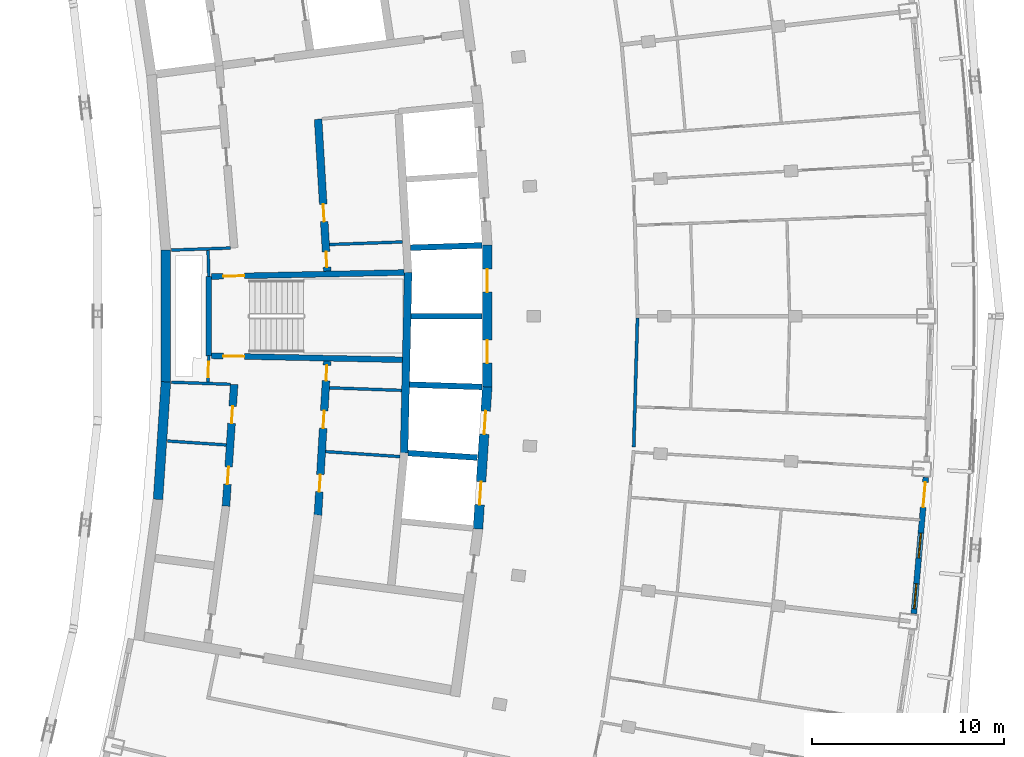
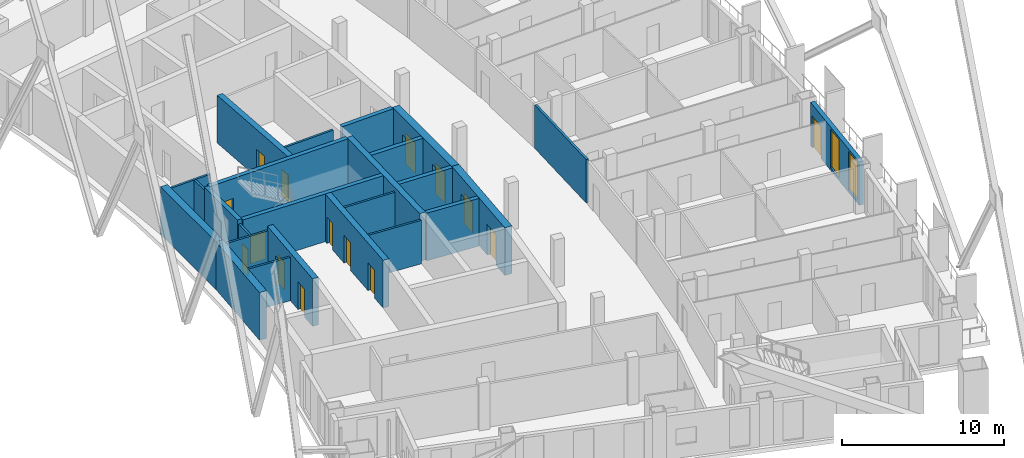
# One storey, part 10 of 21: 25 walls, 15 doors, 2 windows, 17 openings.
"""IFC4 building model written with IfcOpenShell, lengths in metres."""

from ifc_helpers import new_model, si_unit, direction, frame, frame_2d, origin, place, context, subcontext, project, spatial, rectangle, extrude, material, layer, layer_set, type_object, element, fill, save


model = new_model("IFC4")

# Units and contexts
model_context = context("Model", 3, precision=1e-05, world=origin(), true_north=direction((0.0, 1.0)))
body_context = subcontext(model_context, "Body", "Model", "MODEL_VIEW")
ifc_project = project(units=[si_unit("LENGTHUNIT", "METRE"), si_unit("AREAUNIT", "SQUARE_METRE"), si_unit("VOLUMEUNIT", "CUBIC_METRE"), si_unit("PLANEANGLEUNIT", "RADIAN"), si_unit("MASSUNIT", "GRAM", prefix="KILO")], contexts=[model_context])

# Site, building, storey
site_placement = place(None, origin())
site = spatial("IfcSite", under=ifc_project, at=site_placement, CompositionType="ELEMENT")
building_placement = place(site_placement, origin())
building = spatial("IfcBuilding", under=site, at=building_placement, Name="Alderwake Tower", CompositionType="ELEMENT")
storey_placement = place(building_placement, frame((0.0, 0.0, 267.199951171875)))
storey = spatial("IfcBuildingStorey", under=building, at=storey_placement, Name="L66", CompositionType="ELEMENT", Elevation=267.199951171875)

# Walls
ifc_material_1 = material(Name="Gypsum shaft wall system, rated")
ifc_layer_1 = layer(ifc_material_1, 0.14990234375)
ifc_layer_set_1 = layer_set([ifc_layer_1], Name="Core riser partition 150")
wall_type_1 = type_object("IfcWallType", Name="Core riser partition 150", PredefinedType="PARTITIONING", material=ifc_layer_set_1)
wall_1_placement = place(storey_placement, frame((25.1904296875, 57.276611328125, 0.0), z_axis=(0.0, 0.0, 1.0), x_axis=(0.99937350076, -0.035392173974, 0.0)))
element("IfcWall", 1, at=wall_1_placement, inside=storey, type_object=wall_type_1, Name="CW/L66/PR-37_+86", PredefinedType="PARTITIONING", context=body_context, shape_type="SweptSolid", body=[
    extrude(rectangle(XDim=3.752685546875, YDim=0.14990234375, at=frame_2d((1.87646484375, 0.0))), origin(), (0.0, 0.0, 1.0), 3.280029296875),
])
wall_2_placement = place(storey_placement, frame((25.191162109375, 64.723388671875, 0.0), z_axis=(0.0, 0.0, 1.0), x_axis=(0.999373627871, 0.035388584556, 0.0)))
element("IfcWall", 2, at=wall_2_placement, inside=storey, type_object=wall_type_1, Name="CW/L66/PR+37_+86", PredefinedType="PARTITIONING", context=body_context, shape_type="SweptSolid", body=[
    extrude(rectangle(XDim=3.79443359375, YDim=0.14990234375, at=frame_2d((1.897216796875, 0.0))), origin(), (0.0, 0.0, 1.0), 3.280029296875),
])

# Wall, opening, door
ifc_material_2 = material(Name="Gypsum shaft wall system, rated")
ifc_layer_2 = layer(ifc_material_2, 0.14990234375)
ifc_layer_set_2 = layer_set([ifc_layer_2], Name="Core room partition 150")
wall_type_2 = type_object("IfcWallType", Name="Core room partition 150", PredefinedType="PARTITIONING", material=ifc_layer_set_2)
wall_3_placement = place(storey_placement, frame((18.918701171875, 58.94384765625, 0.0), z_axis=(0.0, 0.0, 1.0), x_axis=(-0.027811602725, -0.999613182563, 0.0)))
wall_3 = element("IfcWall", 3, at=wall_3_placement, inside=storey, type_object=wall_type_2, Name="CW/L66/PA+24_-37", PredefinedType="PARTITIONING", context=body_context, shape_type="SweptSolid", body=[
    extrude(rectangle(XDim=1.369384765625, YDim=0.14990234375, at=frame_2d((0.6845703125, 0.0))), origin(), (0.0, 0.0, 1.0), 3.280029296875),
])
opening_1_placement = place(wall_3_placement, frame((0.322998046875, 0.0, 0.0)))
opening_1 = element("IfcOpeningElement", 4, at=opening_1_placement, cuts=wall_3, Name="Opening C004", PredefinedType="OPENING", context=body_context, shape_type="SweptSolid", body=[
    extrude(rectangle(XDim=0.800048828125, YDim=2.0, at=frame_2d((0.39990234375, 1.0))), frame((0.0, 0.0849609375, 0.0), z_axis=(0.0, -1.0, 0.0), x_axis=(1.0, 0.0, 0.0)), (0.0, 0.0, 1.0), 0.169921875),
])
ifc_material_3 = material(Name="Painted steel leaf, rated", Category="steel")
door_type_1 = type_object("IfcDoorType", Name="Riser access door 800", OperationType="SINGLE_SWING_LEFT", PredefinedType="DOOR", material=ifc_material_3)
door_1_placement = place(opening_1_placement, origin())
door_1 = element("IfcDoor", 5, at=door_1_placement, inside=storey, type_object=door_type_1, Name="Riser access door", OperationType="SINGLE_SWING_RIGHT", OverallHeight=2.0, OverallWidth=0.800048828125, PredefinedType="DOOR", context=body_context, shape_type="SweptSolid", body=[
    extrude(rectangle(XDim=0.800048828125, YDim=2.0, at=frame_2d((0.39990234375, 1.0))), frame((0.0, 0.02490234375, 0.0), z_axis=(0.0, -1.0, 0.0), x_axis=(1.0, 0.0, 0.0)), (0.0, 0.0, 1.0), 0.050048828125),
])
fill(opening_1, door_1)

# Walls
wall_4_placement = place(storey_placement, frame((18.918701171875, 63.05517578125, 0.0), z_axis=(0.0, 0.0, 1.0), x_axis=(-0.027791791559, 0.99961373356, 0.0)))
element("IfcWall", 6, at=wall_4_placement, inside=storey, type_object=wall_type_2, Name="CW/L66/PA+24_+22", PredefinedType="PARTITIONING", context=body_context, shape_type="SweptSolid", body=[
    extrude(rectangle(XDim=1.370361328125, YDim=0.14990234375, at=frame_2d((0.68505859375, 0.0))), origin(), (0.0, 0.0, 1.0), 3.280029296875),
])
wall_5_placement = place(storey_placement, frame((16.7646484375, 54.512939453125, 0.0), z_axis=(0.0, 0.0, 1.0), x_axis=(0.997758318264, -0.066920388042, 0.0)))
element("IfcWall", 7, at=wall_5_placement, inside=storey, type_object=wall_type_2, Name="CW/L66/PR-70_+0", PredefinedType="PARTITIONING", context=body_context, shape_type="SweptSolid", body=[
    extrude(rectangle(XDim=3.068115234375, YDim=0.14990234375, at=frame_2d((1.5341796875, 0.0))), origin(), (0.0, 0.0, 1.0), 3.280029296875),
])
wall_6_placement = place(storey_placement, frame((24.990234375, 53.96142578125, 0.0), z_axis=(0.0, 0.0, 1.0), x_axis=(0.997758824467, -0.06691284031, 0.0)))
element("IfcWall", 8, at=wall_6_placement, inside=storey, type_object=wall_type_2, Name="CW/L66/PR-70_+86", PredefinedType="PARTITIONING", context=body_context, shape_type="SweptSolid", body=[
    extrude(rectangle(XDim=3.86767578125, YDim=0.14990234375, at=frame_2d((1.933837890625, 0.0))), origin(), (0.0, 0.0, 1.0), 3.280029296875),
])
for number, where, z_axis, x_axis, name in (
    (9, (16.969482421875, 57.5673828125, 0.0), (0.0, 0.0, 1.0), (0.999376258731, -0.035314210814, 0.0), "CW/L66/PR-37_+0"),
    (10, (16.969482421875, 64.4326171875, 0.0), (0.0, 0.0, 1.0), (0.999376258731, 0.035314210814, 0.0), "CW/L66/PR+37_+0"),
):
    element("IfcWall", number, at=place(storey_placement, frame(where, z_axis=z_axis, x_axis=x_axis)), inside=storey, type_object=wall_type_2, Name=name, PredefinedType="PARTITIONING", context=body_context, shape_type="SweptSolid", body=[
        extrude(rectangle(XDim=3.069580078125, YDim=0.14990234375, at=frame_2d((1.53466796875, 0.0))), origin(), (0.0, 0.0, 1.0), 3.280029296875),
    ])
ifc_material_4 = material(Name="Concrete C70/85", Category="concrete")
ifc_layer_3 = layer(ifc_material_4, 0.5)
ifc_layer_set_3 = layer_set([ifc_layer_3], Name="Core wall outer 500 C70-85")
wall_type_3 = type_object("IfcWallType", Name="Core wall outer 500 C70-85", PredefinedType="SHEAR", material=ifc_layer_set_3)
wall_7_placement = place(storey_placement, frame((16.280517578125, 51.4765625, 0.0), z_axis=(0.0, 0.0, 1.0), x_axis=(0.066863022947, 0.997762164127, 0.0)))
element("IfcWall", 11, at=wall_7_placement, inside=storey, type_object=wall_type_3, Name="Core wall CW.027", PredefinedType="SHEAR", context=body_context, shape_type="SweptSolid", body=[
    extrude(rectangle(XDim=6.123291015625, YDim=0.5, at=frame_2d((3.0615234375, 0.0))), origin(), (0.0, 0.0, 1.0), 3.60009765625),
])
wall_8_placement = place(storey_placement, frame((16.689453125, 57.568603515625, 0.0), z_axis=(0.0, 0.0, 1.0), x_axis=(0.0, 1.0, 0.0)))
element("IfcWall", 12, at=wall_8_placement, inside=storey, type_object=wall_type_3, Name="Core wall CW.029", PredefinedType="SHEAR", context=body_context, shape_type="SweptSolid", body=[
    extrude(rectangle(XDim=6.86474609375, YDim=0.5, at=frame_2d((3.432373046875, 0.0))), origin(), (0.0, 0.0, 1.0), 3.60009765625),
])

# Wall, openings, doors
wall_9_placement = place(storey_placement, frame((32.91015625, 49.942138671875, 0.0), z_axis=(0.0, 0.0, 1.0), x_axis=(0.064980500916, 0.997886533881, 0.0)))
wall_9 = element("IfcWall", 13, at=wall_9_placement, inside=storey, type_object=wall_type_3, Name="Core wall CW.021", PredefinedType="SHEAR", context=body_context, shape_type="SweptSolid", body=[
    extrude(rectangle(XDim=7.39404296875, YDim=0.5, at=frame_2d((3.697021484375, 0.0))), origin(), (0.0, 0.0, 1.0), 3.60009765625),
])
opening_2_placement = place(wall_9_placement, frame((1.253173828125, 0.0, 0.0)))
opening_2 = element("IfcOpeningElement", 14, at=opening_2_placement, cuts=wall_9, Name="Opening LD-HP1", PredefinedType="OPENING", context=body_context, shape_type="SweptSolid", body=[
    extrude(rectangle(XDim=1.199951171875, YDim=2.300048828125, at=frame_2d((0.60009765625, 1.14990234375))), frame((0.0, 0.260009765625, 0.0), z_axis=(0.0, -1.0, 0.0), x_axis=(1.0, 0.0, 0.0)), (0.0, 0.0, 1.0), 0.52001953125),
])
opening_3_placement = place(wall_9_placement, frame((4.941650390625, 0.0, 0.0)))
opening_3 = element("IfcOpeningElement", 15, at=opening_3_placement, cuts=wall_9, Name="Opening LD-HP2", PredefinedType="OPENING", context=body_context, shape_type="SweptSolid", body=[
    extrude(rectangle(XDim=1.199951171875, YDim=2.300048828125, at=frame_2d((0.60009765625, 1.14990234375))), frame((0.0, 0.260009765625, 0.0), z_axis=(0.0, -1.0, 0.0), x_axis=(1.0, 0.0, 0.0)), (0.0, 0.0, 1.0), 0.52001953125),
])
ifc_material_5 = material(Name="Stainless steel sliding leaf", Category="steel")
door_type_2 = type_object("IfcDoorType", Name="Lift landing door 1200", OperationType="SLIDING_TO_LEFT", PredefinedType="DOOR", material=ifc_material_5)
door_2_placement = place(opening_2_placement, origin())
door_2 = element("IfcDoor", 16, at=door_2_placement, inside=storey, type_object=door_type_2, Name="Lift landing door HP1", OperationType="SLIDING_TO_LEFT", OverallHeight=2.300048828125, OverallWidth=1.199951171875, PredefinedType="DOOR", context=body_context, shape_type="SweptSolid", body=[
    extrude(rectangle(XDim=1.199951171875, YDim=2.300048828125, at=frame_2d((0.60009765625, 1.14990234375))), frame((0.0, 0.02490234375, 0.0), z_axis=(0.0, -1.0, 0.0), x_axis=(1.0, 0.0, 0.0)), (0.0, 0.0, 1.0), 0.050048828125),
])
fill(opening_2, door_2)
door_3_placement = place(opening_3_placement, origin())
door_3 = element("IfcDoor", 17, at=door_3_placement, inside=storey, type_object=door_type_2, Name="Lift landing door HP2", OperationType="SLIDING_TO_LEFT", OverallHeight=2.300048828125, OverallWidth=1.199951171875, PredefinedType="DOOR", context=body_context, shape_type="SweptSolid", body=[
    extrude(rectangle(XDim=1.199951171875, YDim=2.300048828125, at=frame_2d((0.60009765625, 1.14990234375))), frame((0.0, 0.02490234375, 0.0), z_axis=(0.0, -1.0, 0.0), x_axis=(1.0, 0.0, 0.0)), (0.0, 0.0, 1.0), 0.050048828125),
])
fill(opening_3, door_3)

wall_10_placement = place(storey_placement, frame((33.389892578125, 57.30322265625, 0.0), z_axis=(0.0, 0.0, 1.0), x_axis=(0.0, 1.0, 0.0)))
wall_10 = element("IfcWall", 18, at=wall_10_placement, inside=storey, type_object=wall_type_3, Name="Core wall CW.023", PredefinedType="SHEAR", context=body_context, shape_type="SweptSolid", body=[
    extrude(rectangle(XDim=7.3935546875, YDim=0.5, at=frame_2d((3.69677734375, 0.0))), origin(), (0.0, 0.0, 1.0), 3.60009765625),
])
opening_4_placement = place(wall_10_placement, frame((1.25244140625, 0.0, 0.0)))
opening_4 = element("IfcOpeningElement", 19, at=opening_4_placement, cuts=wall_10, Name="Opening LD-HP3", PredefinedType="OPENING", context=body_context, shape_type="SweptSolid", body=[
    extrude(rectangle(XDim=1.199951171875, YDim=2.300048828125, at=frame_2d((0.60009765625, 1.14990234375))), frame((0.0, 0.260009765625, 0.0), z_axis=(0.0, -1.0, 0.0), x_axis=(1.0, 0.0, 0.0)), (0.0, 0.0, 1.0), 0.52001953125),
])
opening_5_placement = place(wall_10_placement, frame((4.94091796875, 0.0, 0.0)))
opening_5 = element("IfcOpeningElement", 20, at=opening_5_placement, cuts=wall_10, Name="Opening LD-HP4", PredefinedType="OPENING", context=body_context, shape_type="SweptSolid", body=[
    extrude(rectangle(XDim=1.199951171875, YDim=2.300048828125, at=frame_2d((0.60009765625, 1.14990234375))), frame((0.0, 0.260009765625, 0.0), z_axis=(0.0, -1.0, 0.0), x_axis=(1.0, 0.0, 0.0)), (0.0, 0.0, 1.0), 0.52001953125),
])
door_4_placement = place(opening_4_placement, origin())
door_4 = element("IfcDoor", 21, at=door_4_placement, inside=storey, type_object=door_type_2, Name="Lift landing door HP3", OperationType="SLIDING_TO_LEFT", OverallHeight=2.300048828125, OverallWidth=1.199951171875, PredefinedType="DOOR", context=body_context, shape_type="SweptSolid", body=[
    extrude(rectangle(XDim=1.199951171875, YDim=2.300048828125, at=frame_2d((0.60009765625, 1.14990234375))), frame((0.0, 0.02490234375, 0.0), z_axis=(0.0, -1.0, 0.0), x_axis=(1.0, 0.0, 0.0)), (0.0, 0.0, 1.0), 0.050048828125),
])
fill(opening_4, door_4)
door_5_placement = place(opening_5_placement, origin())
door_5 = element("IfcDoor", 22, at=door_5_placement, inside=storey, type_object=door_type_2, Name="Lift landing door HP4", OperationType="SLIDING_TO_LEFT", OverallHeight=2.300048828125, OverallWidth=1.199951171875, PredefinedType="DOOR", context=body_context, shape_type="SweptSolid", body=[
    extrude(rectangle(XDim=1.199951171875, YDim=2.300048828125, at=frame_2d((0.60009765625, 1.14990234375))), frame((0.0, 0.02490234375, 0.0), z_axis=(0.0, -1.0, 0.0), x_axis=(1.0, 0.0, 0.0)), (0.0, 0.0, 1.0), 0.050048828125),
])
fill(opening_5, door_5)

# Walls
ifc_material_6 = material(Name="Concrete C70/85", Category="concrete")
ifc_layer_4 = layer(ifc_material_6, 0.300048828125)
ifc_layer_set_4 = layer_set([ifc_layer_4], Name="Core wall shaft 300 C70-85")
wall_type_4 = type_object("IfcWallType", Name="Core wall shaft 300 C70-85", PredefinedType="SHEAR", material=ifc_layer_set_4)
wall_11_placement = place(storey_placement, frame((29.268798828125, 53.884521484375, 0.0), z_axis=(0.0, 0.0, 1.0), x_axis=(0.997885735437, -0.064992761217, 0.0)))
element("IfcWall", 23, at=wall_11_placement, inside=storey, type_object=wall_type_4, Name="Core wall CW.078", PredefinedType="SHEAR", context=body_context, shape_type="SweptSolid", body=[
    extrude(rectangle(XDim=3.60986328125, YDim=0.300048828125, at=frame_2d((1.804931640625, 0.0))), origin(), (0.0, 0.0, 1.0), 3.60009765625),
])
wall_12_placement = place(storey_placement, frame((29.347412109375, 57.443603515625, 0.0), z_axis=(0.0, 0.0, 1.0), x_axis=(0.99946995342, -0.032554757112, 0.0)))
element("IfcWall", 24, at=wall_12_placement, inside=storey, type_object=wall_type_4, Name="Core wall CW.075", PredefinedType="SHEAR", context=body_context, shape_type="SweptSolid", body=[
    extrude(rectangle(XDim=3.7646484375, YDim=0.300048828125, at=frame_2d((1.88232421875, 0.0))), origin(), (0.0, 0.0, 1.0), 3.60009765625),
])
wall_13_placement = place(storey_placement, frame((29.426025390625, 61.0, 0.0), z_axis=(0.0, 0.0, 1.0), x_axis=(1.0, 0.0, 0.0)))
element("IfcWall", 25, at=wall_13_placement, inside=storey, type_object=wall_type_4, Name="Core wall CW.048", PredefinedType="SHEAR", context=body_context, shape_type="SweptSolid", body=[
    extrude(rectangle(XDim=3.68408203125, YDim=0.300048828125, at=frame_2d((1.842041015625, 0.0))), origin(), (0.0, 0.0, 1.0), 3.60009765625),
])
wall_14_placement = place(storey_placement, frame((29.401611328125, 64.558349609375, 0.0), z_axis=(0.0, 0.0, 1.0), x_axis=(0.99947159852, 0.032504211301, 0.0)))
element("IfcWall", 26, at=wall_14_placement, inside=storey, type_object=wall_type_4, Name="Core wall CW.058", PredefinedType="SHEAR", context=body_context, shape_type="SweptSolid", body=[
    extrude(rectangle(XDim=3.71044921875, YDim=0.300048828125, at=frame_2d((1.855224609375, 0.0))), origin(), (0.0, 0.0, 1.0), 3.60009765625),
])

# Wall, openings, doors
ifc_material_7 = material(Name="Concrete C70/85", Category="concrete")
ifc_layer_5 = layer(ifc_material_7, 0.39990234375)
ifc_layer_set_5 = layer_set([ifc_layer_5], Name="Core wall spine 400 C70-85")
wall_type_5 = type_object("IfcWallType", Name="Core wall spine 400 C70-85", PredefinedType="SHEAR", material=ifc_layer_set_5)
wall_15_placement = place(storey_placement, frame((20.2373046875, 57.451904296875, 0.0), z_axis=(0.0, 0.0, 1.0), x_axis=(-0.066884681503, -0.997760712486, 0.0)))
wall_15 = element("IfcWall", 27, at=wall_15_placement, inside=storey, type_object=wall_type_5, Name="Core wall CW.032", PredefinedType="SHEAR", context=body_context, shape_type="SweptSolid", body=[
    extrude(rectangle(XDim=6.336669921875, YDim=0.39990234375, at=frame_2d((3.16845703125, 0.0))), origin(), (0.0, 0.0, 1.0), 3.60009765625),
])
opening_6_placement = place(wall_15_placement, frame((4.29736328125, 0.0, 0.0)))
opening_6 = element("IfcOpeningElement", 28, at=opening_6_placement, cuts=wall_15, Name="Opening C038", PredefinedType="OPENING", context=body_context, shape_type="SweptSolid", body=[
    extrude(rectangle(XDim=0.89990234375, YDim=2.10009765625, at=frame_2d((0.449951171875, 1.050048828125))), frame((0.0, 0.2099609375, 0.0), z_axis=(0.0, -1.0, 0.0), x_axis=(1.0, 0.0, 0.0)), (0.0, 0.0, 1.0), 0.419921875),
])
opening_7_placement = place(wall_15_placement, frame((1.132080078125, 0.0, 0.0)))
opening_7 = element("IfcOpeningElement", 29, at=opening_7_placement, cuts=wall_15, Name="Opening C042", PredefinedType="OPENING", context=body_context, shape_type="SweptSolid", body=[
    extrude(rectangle(XDim=0.89990234375, YDim=2.10009765625, at=frame_2d((0.449951171875, 1.050048828125))), frame((0.0, 0.2099609375, 0.0), z_axis=(0.0, -1.0, 0.0), x_axis=(1.0, 0.0, 0.0)), (0.0, 0.0, 1.0), 0.419921875),
])
ifc_material_8 = material(Name="Painted steel leaf", Category="steel")
door_type_3 = type_object("IfcDoorType", Name="Core room door 900", OperationType="SINGLE_SWING_LEFT", PredefinedType="DOOR", material=ifc_material_8)
door_6_placement = place(opening_6_placement, origin())
door_6 = element("IfcDoor", 30, at=door_6_placement, inside=storey, type_object=door_type_3, Name="Room door", OperationType="SINGLE_SWING_RIGHT", OverallHeight=2.10009765625, OverallWidth=0.89990234375, PredefinedType="DOOR", context=body_context, shape_type="SweptSolid", body=[
    extrude(rectangle(XDim=0.89990234375, YDim=2.10009765625, at=frame_2d((0.449951171875, 1.050048828125))), frame((0.0, 0.02490234375, 0.0), z_axis=(0.0, -1.0, 0.0), x_axis=(1.0, 0.0, 0.0)), (0.0, 0.0, 1.0), 0.050048828125),
])
fill(opening_6, door_6)
door_7_placement = place(opening_7_placement, origin())
door_7 = element("IfcDoor", 31, at=door_7_placement, inside=storey, type_object=door_type_3, Name="Room door", OperationType="SINGLE_SWING_LEFT", OverallHeight=2.10009765625, OverallWidth=0.89990234375, PredefinedType="DOOR", context=body_context, shape_type="SweptSolid", body=[
    extrude(rectangle(XDim=0.89990234375, YDim=2.10009765625, at=frame_2d((0.449951171875, 1.050048828125))), frame((0.0, 0.02490234375, 0.0), z_axis=(0.0, -1.0, 0.0), x_axis=(1.0, 0.0, 0.0)), (0.0, 0.0, 1.0), 0.050048828125),
])
fill(opening_7, door_7)

wall_16_placement = place(storey_placement, frame((24.590087890625, 50.65673828125, 0.0), z_axis=(0.0, 0.0, 1.0), x_axis=(0.060318641452, 0.998179173041, 0.0)))
wall_16 = element("IfcWall", 32, at=wall_16_placement, inside=storey, type_object=wall_type_5, Name="Core wall CW.046", PredefinedType="SHEAR", context=body_context, shape_type="SweptSolid", body=[
    extrude(rectangle(XDim=8.022216796875, YDim=0.39990234375, at=frame_2d((4.01123046875, 0.0))), origin(), (0.0, 0.0, 1.0), 3.60009765625),
])
opening_8_placement = place(wall_16_placement, frame((7.006103515625, 0.0, 0.0)))
opening_8 = element("IfcOpeningElement", 33, at=opening_8_placement, cuts=wall_16, Name="Opening C006", PredefinedType="OPENING", context=body_context, shape_type="SweptSolid", body=[
    extrude(rectangle(XDim=0.800048828125, YDim=2.0, at=frame_2d((0.39990234375, 1.0))), frame((0.0, 0.2099609375, 0.0), z_axis=(0.0, -1.0, 0.0), x_axis=(1.0, 0.0, 0.0)), (0.0, 0.0, 1.0), 0.419921875),
])
opening_9_placement = place(wall_16_placement, frame((1.21533203125, 0.0, 0.0)))
opening_9 = element("IfcOpeningElement", 34, at=opening_9_placement, cuts=wall_16, Name="Opening C044", PredefinedType="OPENING", context=body_context, shape_type="SweptSolid", body=[
    extrude(rectangle(XDim=0.89990234375, YDim=2.10009765625, at=frame_2d((0.449951171875, 1.050048828125))), frame((0.0, 0.2099609375, 0.0), z_axis=(0.0, -1.0, 0.0), x_axis=(1.0, 0.0, 0.0)), (0.0, 0.0, 1.0), 0.419921875),
])
opening_10_placement = place(wall_16_placement, frame((4.531982421875, 0.0, 0.0)))
opening_10 = element("IfcOpeningElement", 35, at=opening_10_placement, cuts=wall_16, Name="Opening C048", PredefinedType="OPENING", context=body_context, shape_type="SweptSolid", body=[
    extrude(rectangle(XDim=0.89990234375, YDim=2.10009765625, at=frame_2d((0.449951171875, 1.050048828125))), frame((0.0, 0.2099609375, 0.0), z_axis=(0.0, -1.0, 0.0), x_axis=(1.0, 0.0, 0.0)), (0.0, 0.0, 1.0), 0.419921875),
])
door_8_placement = place(opening_9_placement, origin())
door_8 = element("IfcDoor", 36, at=door_8_placement, inside=storey, type_object=door_type_3, Name="Room door", OperationType="SINGLE_SWING_RIGHT", OverallHeight=2.10009765625, OverallWidth=0.89990234375, PredefinedType="DOOR", context=body_context, shape_type="SweptSolid", body=[
    extrude(rectangle(XDim=0.89990234375, YDim=2.10009765625, at=frame_2d((0.449951171875, 1.050048828125))), frame((0.0, 0.02490234375, 0.0), z_axis=(0.0, -1.0, 0.0), x_axis=(1.0, 0.0, 0.0)), (0.0, 0.0, 1.0), 0.050048828125),
])
fill(opening_9, door_8)
door_9_placement = place(opening_10_placement, origin())
door_9 = element("IfcDoor", 37, at=door_9_placement, inside=storey, type_object=door_type_3, Name="Room door", OperationType="SINGLE_SWING_LEFT", OverallHeight=2.10009765625, OverallWidth=0.89990234375, PredefinedType="DOOR", context=body_context, shape_type="SweptSolid", body=[
    extrude(rectangle(XDim=0.89990234375, YDim=2.10009765625, at=frame_2d((0.449951171875, 1.050048828125))), frame((0.0, 0.02490234375, 0.0), z_axis=(0.0, -1.0, 0.0), x_axis=(1.0, 0.0, 0.0)), (0.0, 0.0, 1.0), 0.050048828125),
])
fill(opening_10, door_9)
door_10_placement = place(opening_8_placement, origin())
door_10 = element("IfcDoor", 38, at=door_10_placement, inside=storey, type_object=door_type_1, Name="Riser access door", OperationType="SINGLE_SWING_RIGHT", OverallHeight=2.0, OverallWidth=0.800048828125, PredefinedType="DOOR", context=body_context, shape_type="SweptSolid", body=[
    extrude(rectangle(XDim=0.800048828125, YDim=2.0, at=frame_2d((0.39990234375, 1.0))), frame((0.0, 0.02490234375, 0.0), z_axis=(0.0, -1.0, 0.0), x_axis=(1.0, 0.0, 0.0)), (0.0, 0.0, 1.0), 0.050048828125),
])
fill(opening_8, door_10)

wall_17_placement = place(storey_placement, frame((25.073974609375, 63.335693359375, 0.0), z_axis=(0.0, 0.0, 1.0), x_axis=(-0.059848641072, 0.998207463487, 0.0)))
wall_17 = element("IfcWall", 39, at=wall_17_placement, inside=storey, type_object=wall_type_5, Name="Core wall CW.045", PredefinedType="SHEAR", context=body_context, shape_type="SweptSolid", body=[
    extrude(rectangle(XDim=7.913818359375, YDim=0.39990234375, at=frame_2d((3.95703125, 0.0))), origin(), (0.0, 0.0, 1.0), 3.60009765625),
])
opening_11_placement = place(wall_17_placement, frame((0.216064453125, 0.0, 0.0)))
opening_11 = element("IfcOpeningElement", 40, at=opening_11_placement, cuts=wall_17, Name="Opening C005", PredefinedType="OPENING", context=body_context, shape_type="SweptSolid", body=[
    extrude(rectangle(XDim=0.800048828125, YDim=2.0, at=frame_2d((0.39990234375, 1.0))), frame((0.0, 0.2099609375, 0.0), z_axis=(0.0, -1.0, 0.0), x_axis=(1.0, 0.0, 0.0)), (0.0, 0.0, 1.0), 0.419921875),
])
opening_12_placement = place(wall_17_placement, frame((2.590087890625, 0.0, 0.0)))
opening_12 = element("IfcOpeningElement", 41, at=opening_12_placement, cuts=wall_17, Name="Opening C057", PredefinedType="OPENING", context=body_context, shape_type="SweptSolid", body=[
    extrude(rectangle(XDim=0.89990234375, YDim=2.10009765625, at=frame_2d((0.449951171875, 1.050048828125))), frame((0.0, 0.2099609375, 0.0), z_axis=(0.0, -1.0, 0.0), x_axis=(1.0, 0.0, 0.0)), (0.0, 0.0, 1.0), 0.419921875),
])
door_11_placement = place(opening_12_placement, origin())
door_11 = element("IfcDoor", 42, at=door_11_placement, inside=storey, type_object=door_type_3, Name="Room door", OperationType="SINGLE_SWING_LEFT", OverallHeight=2.10009765625, OverallWidth=0.89990234375, PredefinedType="DOOR", context=body_context, shape_type="SweptSolid", body=[
    extrude(rectangle(XDim=0.89990234375, YDim=2.10009765625, at=frame_2d((0.449951171875, 1.050048828125))), frame((0.0, 0.02490234375, 0.0), z_axis=(0.0, -1.0, 0.0), x_axis=(1.0, 0.0, 0.0)), (0.0, 0.0, 1.0), 0.050048828125),
])
fill(opening_12, door_11)
door_12_placement = place(opening_11_placement, origin())
door_12 = element("IfcDoor", 43, at=door_12_placement, inside=storey, type_object=door_type_1, Name="Riser access door", OperationType="SINGLE_SWING_LEFT", OverallHeight=2.0, OverallWidth=0.800048828125, PredefinedType="DOOR", context=body_context, shape_type="SweptSolid", body=[
    extrude(rectangle(XDim=0.800048828125, YDim=2.0, at=frame_2d((0.39990234375, 1.0))), frame((0.0, 0.02490234375, 0.0), z_axis=(0.0, -1.0, 0.0), x_axis=(1.0, 0.0, 0.0)), (0.0, 0.0, 1.0), 0.050048828125),
])
fill(opening_11, door_12)

# Walls
wall_18_placement = place(storey_placement, frame((29.06884765625, 53.8896484375, 0.0), z_axis=(0.0, 0.0, 1.0), x_axis=(0.022115722908, 0.99975541749, 0.0)))
element("IfcWall", 44, at=wall_18_placement, inside=storey, type_object=wall_type_5, Name="Core wall CW.008", PredefinedType="SHEAR", context=body_context, shape_type="SweptSolid", body=[
    extrude(rectangle(XDim=9.394287109375, YDim=0.39990234375, at=frame_2d((4.697265625, 0.0))), origin(), (0.0, 0.0, 1.0), 3.60009765625),
])
ifc_material_9 = material(Name="Concrete C70/85", Category="concrete")
ifc_layer_6 = layer(ifc_material_9, 0.300048828125)
ifc_layer_set_6 = layer_set([ifc_layer_6], Name="Core wall stair enclosure 300 C70-85")
wall_type_6 = type_object("IfcWallType", Name="Core wall stair enclosure 300 C70-85", PredefinedType="SHEAR", material=ifc_layer_set_6)
wall_19_placement = place(storey_placement, frame((18.918701171875, 58.940673828125, 0.0), z_axis=(0.0, 0.0, 1.0), x_axis=(0.0, 1.0, 0.0)))
element("IfcWall", 45, at=wall_19_placement, inside=storey, type_object=wall_type_6, Name="Core wall CW.024", PredefinedType="SHEAR", context=body_context, shape_type="SweptSolid", body=[
    extrude(rectangle(XDim=4.11962890625, YDim=0.300048828125, at=frame_2d((2.059814453125, 0.0))), origin(), (0.0, 0.0, 1.0), 3.60009765625),
])

# Wall, opening, door
wall_20_placement = place(storey_placement, frame((28.975830078125, 58.733154296875, 0.0), z_axis=(0.0, 0.0, 1.0), x_axis=(-0.999783782948, 0.020793925895, 0.0)))
wall_20 = element("IfcWall", 46, at=wall_20_placement, inside=storey, type_object=wall_type_6, Name="Core wall CW.074", PredefinedType="SHEAR", context=body_context, shape_type="SweptSolid", body=[
    extrude(rectangle(XDim=9.909423828125, YDim=0.300048828125, at=frame_2d((4.95458984375, 0.0))), origin(), (0.0, 0.0, 1.0), 3.60009765625),
])
opening_13_placement = place(wall_20_placement, frame((8.20947265625, 0.0, 0.0)))
opening_13 = element("IfcOpeningElement", 47, at=opening_13_placement, cuts=wall_20, Name="Opening C063", PredefinedType="OPENING", context=body_context, shape_type="SweptSolid", body=[
    extrude(rectangle(XDim=1.10009765625, YDim=2.10009765625, at=frame_2d((0.550048828125, 1.050048828125))), frame((0.0, 0.159912109375, 0.0), z_axis=(0.0, -1.0, 0.0), x_axis=(1.0, 0.0, 0.0)), (0.0, 0.0, 1.0), 0.320068359375),
])
ifc_material_10 = material(Name="Steel-framed fire door leaf", Category="steel")
door_type_4 = type_object("IfcDoorType", Name="Core stair door 1100 fire-rated", OperationType="SINGLE_SWING_LEFT", PredefinedType="DOOR", material=ifc_material_10)
door_13_placement = place(opening_13_placement, origin())
door_13 = element("IfcDoor", 48, at=door_13_placement, inside=storey, type_object=door_type_4, Name="Stair door", OperationType="SINGLE_SWING_LEFT", OverallHeight=2.10009765625, OverallWidth=1.10009765625, PredefinedType="DOOR", context=body_context, shape_type="SweptSolid", body=[
    extrude(rectangle(XDim=1.10009765625, YDim=2.10009765625, at=frame_2d((0.550048828125, 1.050048828125))), frame((0.0, 0.02490234375, 0.0), z_axis=(0.0, -1.0, 0.0), x_axis=(1.0, 0.0, 0.0)), (0.0, 0.0, 1.0), 0.050048828125),
])
fill(opening_13, door_13)

wall_21_placement = place(storey_placement, frame((19.068603515625, 63.060791015625, 0.0), z_axis=(0.0, 0.0, 1.0), x_axis=(0.999783553773, 0.02080494185, 0.0)))
wall_21 = element("IfcWall", 49, at=wall_21_placement, inside=storey, type_object=wall_type_6, Name="Core wall CW.057", PredefinedType="SHEAR", context=body_context, shape_type="SweptSolid", body=[
    extrude(rectangle(XDim=10.009765625, YDim=0.300048828125, at=frame_2d((5.0048828125, 0.0))), origin(), (0.0, 0.0, 1.0), 3.60009765625),
])
opening_14_placement = place(wall_21_placement, frame((0.60009765625, 0.0, 0.0)))
opening_14 = element("IfcOpeningElement", 50, at=opening_14_placement, cuts=wall_21, Name="Opening C064", PredefinedType="OPENING", context=body_context, shape_type="SweptSolid", body=[
    extrude(rectangle(XDim=1.10009765625, YDim=2.10009765625, at=frame_2d((0.550048828125, 1.050048828125))), frame((0.0, 0.159912109375, 0.0), z_axis=(0.0, -1.0, 0.0), x_axis=(1.0, 0.0, 0.0)), (0.0, 0.0, 1.0), 0.320068359375),
])
door_14_placement = place(opening_14_placement, origin())
door_14 = element("IfcDoor", 51, at=door_14_placement, inside=storey, type_object=door_type_4, Name="Stair door", OperationType="SINGLE_SWING_RIGHT", OverallHeight=2.10009765625, OverallWidth=1.10009765625, PredefinedType="DOOR", context=body_context, shape_type="SweptSolid", body=[
    extrude(rectangle(XDim=1.10009765625, YDim=2.10009765625, at=frame_2d((0.550048828125, 1.050048828125))), frame((0.0, 0.02490234375, 0.0), z_axis=(0.0, -1.0, 0.0), x_axis=(1.0, 0.0, 0.0)), (0.0, 0.0, 1.0), 0.050048828125),
])
fill(opening_14, door_14)

# Wall
ifc_material_11 = material(Name="Gypsum board on metal studs, rated")
ifc_layer_7 = layer(ifc_material_11, 0.159912109375)
ifc_layer_set_7 = layer_set([ifc_layer_7], Name="Corridor wall 160")
wall_type_7 = type_object("IfcWallType", Name="Corridor wall 160", PredefinedType="PARTITIONING", material=ifc_layer_set_7)
wall_22_placement = place(storey_placement, frame((41.002685546875, 54.20068359375, 0.0), z_axis=(0.0, 0.0, 1.0), x_axis=(0.028855161601, 0.999583603131, 0.0)))
element("IfcWall", 52, at=wall_22_placement, inside=storey, type_object=wall_type_7, Name="WL/L66/W23", PredefinedType="PARTITIONING", context=body_context, shape_type="SweptSolid", body=[
    extrude(rectangle(XDim=6.700927734375, YDim=0.159912109375, at=frame_2d((3.3505859375, 0.0))), origin(), (0.0, 0.0, 1.0), 3.280029296875),
])

# Wall, openings, door, windows
ifc_material_12 = material(Name="Precast concrete C50/60 spandrel panel", Category="concrete")
ifc_layer_8 = layer(ifc_material_12, 0.300048828125)
ifc_layer_set_8 = layer_set([ifc_layer_8], Name="External wall EW1 Precast concrete C50/60 spandrel")
wall_type_8 = type_object("IfcWallType", Name="External wall EW1 Precast concrete C50/60 spandrel", PredefinedType="SOLIDWALL", material=ifc_layer_set_8)
wall_23_placement = place(storey_placement, frame((55.559326171875, 45.537109375, 0.0), z_axis=(0.0, 0.0, 1.0), x_axis=(0.08736403326, 0.996176453091, 0.0)))
wall_23 = element("IfcWall", 53, at=wall_23_placement, inside=storey, type_object=wall_type_8, Name="External wall 14", PredefinedType="SOLIDWALL", context=body_context, shape_type="SweptSolid", body=[
    extrude(rectangle(XDim=7.11474609375, YDim=0.300048828125, at=frame_2d((3.557373046875, 0.0))), origin(), (0.0, 0.0, 1.0), 3.280029296875),
])
opening_15_placement = place(wall_23_placement, frame((0.259521484375, 0.0, 0.199951171875)))
opening_15 = element("IfcOpeningElement", 54, at=opening_15_placement, cuts=wall_23, Name="Opening W1", PredefinedType="OPENING", context=body_context, shape_type="SweptSolid", body=[
    extrude(rectangle(XDim=1.300048828125, YDim=2.89990234375, at=frame_2d((0.64990234375, 1.449951171875))), frame((0.0, 0.159912109375, 0.0), z_axis=(0.0, -1.0, 0.0), x_axis=(1.0, 0.0, 0.0)), (0.0, 0.0, 1.0), 0.320068359375),
])
opening_16_placement = place(wall_23_placement, frame((2.907470703125, 0.0, 0.199951171875)))
opening_16 = element("IfcOpeningElement", 55, at=opening_16_placement, cuts=wall_23, Name="Opening W1", PredefinedType="OPENING", context=body_context, shape_type="SweptSolid", body=[
    extrude(rectangle(XDim=1.300048828125, YDim=2.89990234375, at=frame_2d((0.64990234375, 1.449951171875))), frame((0.0, 0.159912109375, 0.0), z_axis=(0.0, -1.0, 0.0), x_axis=(1.0, 0.0, 0.0)), (0.0, 0.0, 1.0), 0.320068359375),
])
opening_17_placement = place(wall_23_placement, frame((5.555419921875, 0.0, 0.0)))
opening_17 = element("IfcOpeningElement", 56, at=opening_17_placement, cuts=wall_23, Name="Opening D04", PredefinedType="OPENING", context=body_context, shape_type="SweptSolid", body=[
    extrude(rectangle(XDim=1.300048828125, YDim=2.39990234375, at=frame_2d((0.64990234375, 1.199951171875))), frame((0.0, 0.159912109375, 0.0), z_axis=(0.0, -1.0, 0.0), x_axis=(1.0, 0.0, 0.0)), (0.0, 0.0, 1.0), 0.320068359375),
])
ifc_material_13 = material(Name="Bronze tinted glass in aluminium frame", Category="aluminium")
door_type_5 = type_object("IfcDoorType", Name="Balcony door BD sliding", OperationType="SLIDING_TO_LEFT", PredefinedType="DOOR", material=ifc_material_13)
door_15_placement = place(opening_17_placement, origin())
door_15 = element("IfcDoor", 57, at=door_15_placement, inside=storey, type_object=door_type_5, Name="Door D04", OperationType="SLIDING_TO_LEFT", OverallHeight=2.39990234375, OverallWidth=1.300048828125, PredefinedType="DOOR", context=body_context, shape_type="SweptSolid", body=[
    extrude(rectangle(XDim=1.300048828125, YDim=2.39990234375, at=frame_2d((0.64990234375, 1.199951171875))), frame((0.0, 0.02490234375, 0.0), z_axis=(0.0, -1.0, 0.0), x_axis=(1.0, 0.0, 0.0)), (0.0, 0.0, 1.0), 0.050048828125),
])
fill(opening_17, door_15)
ifc_material_14 = material(Name="Bronze tinted glass in aluminium frame", Category="aluminium")
window_type = type_object("IfcWindowType", Name="Window W1 tall fixed and vent", PartitioningType="DOUBLE_PANEL_VERTICAL", PredefinedType="WINDOW", material=ifc_material_14)
window_1_placement = place(opening_15_placement, origin())
window_1 = element("IfcWindow", 58, at=window_1_placement, inside=storey, type_object=window_type, Name="Window W1 tall fixed and vent", OverallHeight=2.89990234375, OverallWidth=1.300048828125, PartitioningType="DOUBLE_PANEL_VERTICAL", PredefinedType="WINDOW", context=body_context, shape_type="SweptSolid", body=[
    extrude(rectangle(XDim=1.300048828125, YDim=2.89990234375, at=frame_2d((0.64990234375, 1.449951171875))), frame((0.0, 0.030029296875, 0.0), z_axis=(0.0, -1.0, 0.0), x_axis=(1.0, 0.0, 0.0)), (0.0, 0.0, 1.0), 0.06005859375),
])
fill(opening_15, window_1)
window_2_placement = place(opening_16_placement, origin())
window_2 = element("IfcWindow", 59, at=window_2_placement, inside=storey, type_object=window_type, Name="Window W1 tall fixed and vent", OverallHeight=2.89990234375, OverallWidth=1.300048828125, PartitioningType="DOUBLE_PANEL_VERTICAL", PredefinedType="WINDOW", context=body_context, shape_type="SweptSolid", body=[
    extrude(rectangle(XDim=1.300048828125, YDim=2.89990234375, at=frame_2d((0.64990234375, 1.449951171875))), frame((0.0, 0.030029296875, 0.0), z_axis=(0.0, -1.0, 0.0), x_axis=(1.0, 0.0, 0.0)), (0.0, 0.0, 1.0), 0.06005859375),
])
fill(opening_16, window_2)

save(model, "model.ifc")
